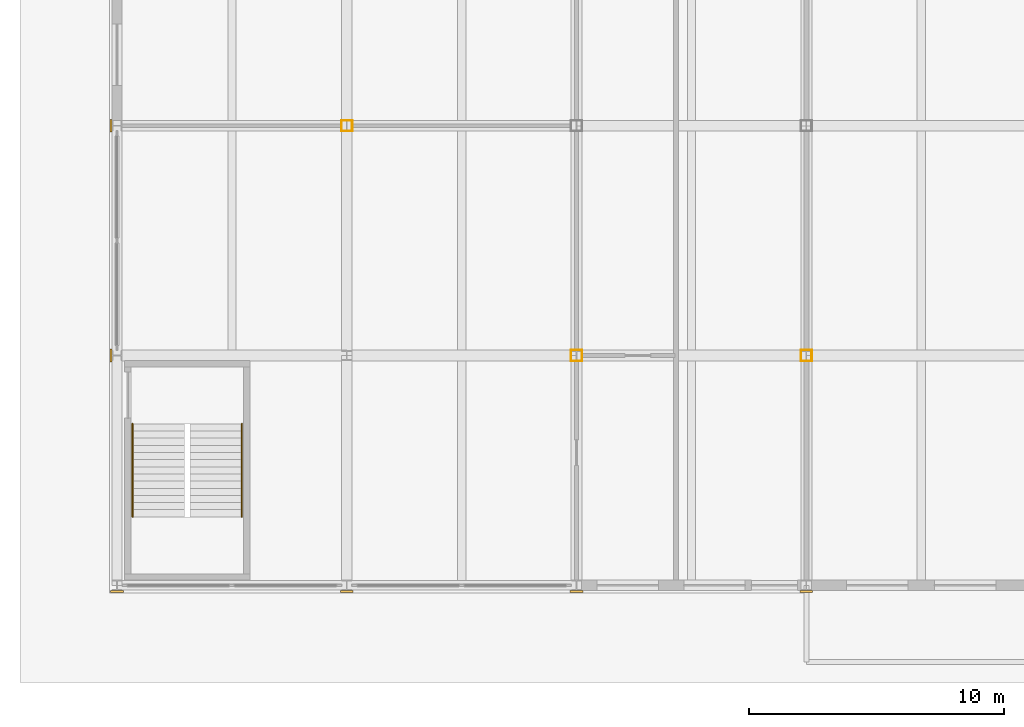
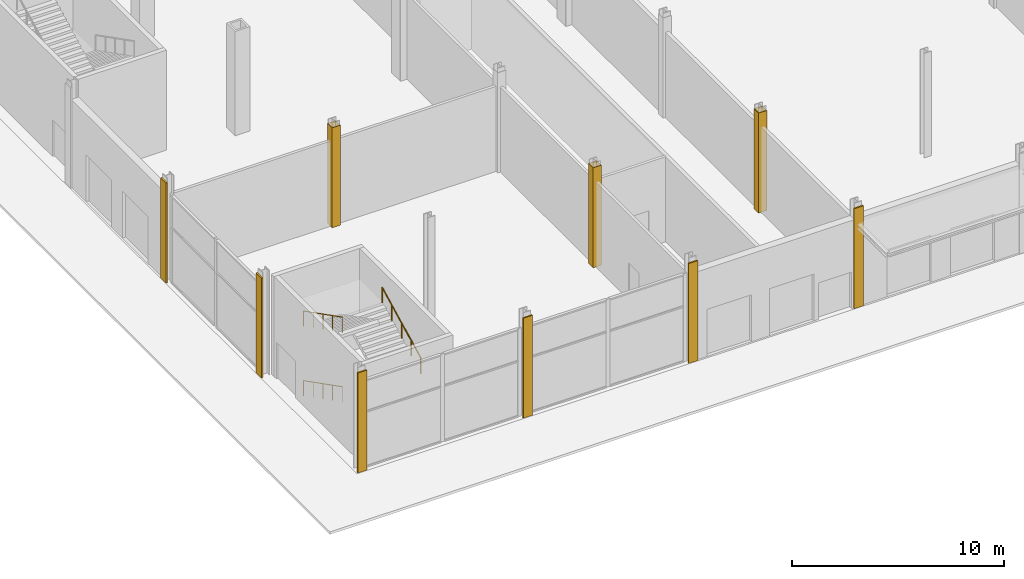
# One storey, part 26 of 34: 18 coverings, 3 railings.
"""IFC4 building model written with IfcOpenShell, lengths in metres."""

import ifcopenshell
import ifcopenshell.guid

model = None  # the IFC model being written
_history = None  # IfcOwnerHistory: only IFC2X3 demands one
_inside = {}  # id of a spatial element -> (the spatial element, [elements in it])
_under = {}  # id of a project, library or spatial element -> (it, [spatial elements below it])
_declared = {}  # id of a project -> (the project, [libraries it declares])
_typed = {}  # id of a type object -> (the type object, [elements of that type])
_made_of = {}  # id of a material, layer set ... -> (it, [elements and type objects made of it])


def new_model(schema):
    """Start an empty IFC model of exactly this schema.

    Asked for "IFC4X3", IfcOpenShell would pick the latest addendum, in which some entities
    have other attributes; the version numbers below select the first issue.
    IFC2X3 requires an IfcOwnerHistory on every rooted entity: one is made here for all.
    """
    global model, _history
    if schema == "IFC4X3":
        model = ifcopenshell.file(schema_version=(4, 3, 0, 0))
    else:
        model = ifcopenshell.file(schema=schema)
    _inside.clear()
    _under.clear()
    _declared.clear()
    _typed.clear()
    _made_of.clear()
    _history = None
    if model.schema == "IFC2X3":
        org = make("IfcOrganization", Name="unknown")
        user = make(
            "IfcPersonAndOrganization",
            ThePerson=make("IfcPerson", FamilyName="unknown"),
            TheOrganization=org,
        )
        app = make(
            "IfcApplication",
            ApplicationDeveloper=org,
            Version="unknown",
            ApplicationFullName="unknown",
            ApplicationIdentifier="unknown",
        )
        _history = make(
            "IfcOwnerHistory",
            OwningUser=user,
            OwningApplication=app,
            ChangeAction="ADDED",
            CreationDate=0,
        )
    return model


def make(cls, **values):
    """One entity of the class cls with the attributes given. An attribute that is None is left unset."""
    return model.create_entity(
        cls, **{name: value for name, value in values.items() if value is not None}
    )


def rooted(cls, **values):
    """An entity with a GlobalId (a new one), such as an element, a storey or a relation."""
    return make(cls, GlobalId=ifcopenshell.guid.new(), OwnerHistory=_history, **values)


def si_unit(unit_type, name, prefix=None):
    """IfcSIUnit, for example si_unit("LENGTHUNIT", "METRE", prefix="MILLI")."""
    return make("IfcSIUnit", UnitType=unit_type, Prefix=prefix, Name=name)


def assignment(units):
    """IfcUnitAssignment: the units of a project."""
    return None if units is None else make("IfcUnitAssignment", Units=units)


def point(xyz):
    """IfcCartesianPoint."""
    return None if xyz is None else make("IfcCartesianPoint", Coordinates=xyz)


def direction(xyz):
    """IfcDirection."""
    return None if xyz is None else make("IfcDirection", DirectionRatios=xyz)


def frame(location, z_axis=None, x_axis=None):
    """IfcAxis2Placement3D, a coordinate frame: its origin and axes. An axis left out is left unset."""
    return make(
        "IfcAxis2Placement3D",
        Location=point(location),
        Axis=direction(z_axis),
        RefDirection=direction(x_axis),
    )


def frame_2d(location, x_axis=None):
    """IfcAxis2Placement2D, a coordinate frame in the plane: its origin and x axis."""
    return make(
        "IfcAxis2Placement2D", Location=point(location), RefDirection=direction(x_axis)
    )


def origin():
    """The frame at (0, 0, 0) with its axes left unset."""
    return frame((0.0, 0.0, 0.0))


def origin_2d():
    """The frame at (0, 0) in the plane with its x axis left unset."""
    return frame_2d((0.0, 0.0))


def place(relative_to, where):
    """IfcLocalPlacement: puts the frame where relative to a parent placement (None: the world)."""
    return make(
        "IfcLocalPlacement", PlacementRelTo=relative_to, RelativePlacement=where
    )


def context(
    kind, dimensions, precision=None, world=None, true_north=None, identifier=None
):
    """IfcGeometricRepresentationContext, for example the 3D "Model" context."""
    return make(
        "IfcGeometricRepresentationContext",
        ContextIdentifier=identifier,
        ContextType=kind,
        CoordinateSpaceDimension=dimensions,
        Precision=precision,
        WorldCoordinateSystem=world,
        TrueNorth=true_north,
    )


def subcontext(parent, identifier, kind, view, scale=None):
    """IfcGeometricRepresentationSubContext, for example "Body" below "Model"."""
    return make(
        "IfcGeometricRepresentationSubContext",
        ContextIdentifier=identifier,
        ContextType=kind,
        ParentContext=parent,
        TargetScale=scale,
        TargetView=view,
    )


def project(units=None, contexts=None):
    """IfcProject with its units and contexts."""
    return rooted(
        "IfcProject",
        Name="project",
        RepresentationContexts=contexts,
        UnitsInContext=assignment(units),
    )


def spatial(cls, under=None, at=None, **own):
    """A site, building, storey or space (cls), placed at a placement, below another one or the project."""
    s = rooted(cls, ObjectPlacement=at, **own)
    if under is not None:
        _under.setdefault(under.id(), (under, []))[1].append(s)
    return s


def profile(cls, at=None, kind="AREA", **sizes):
    """A parametric profile (cls). Its sizes go by their IFC names, for example OverallWidth=200.0."""
    return make(cls, ProfileType=kind, Position=at, **sizes)


def rectangle(**sizes):
    """IfcRectangleProfileDef."""
    return profile("IfcRectangleProfileDef", **sizes)


def circle(**sizes):
    """IfcCircleProfileDef."""
    return profile("IfcCircleProfileDef", **sizes)


def extrude(swept, where, along, depth):
    """IfcExtrudedAreaSolid: the profile swept, set in the frame where, extruded along a direction by depth."""
    return make(
        "IfcExtrudedAreaSolid",
        SweptArea=swept,
        Position=where,
        ExtrudedDirection=direction(along),
        Depth=depth,
    )


def shape(context_of_items, identifier, shape_type, items):
    """IfcShapeRepresentation: the items that make up one representation, for example the "Body"."""
    return make(
        "IfcShapeRepresentation",
        ContextOfItems=context_of_items,
        RepresentationIdentifier=identifier,
        RepresentationType=shape_type,
        Items=items,
    )


def material(Name=None, Category=None):
    """IfcMaterial."""
    return make("IfcMaterial", Name=Name, Category=Category)


def layer(
    of_material, thickness, ventilated=None, Name=None, Category=None, Priority=None
):
    """IfcMaterialLayer: one layer of a wall or slab, of a material (None: an air gap)."""
    return make(
        "IfcMaterialLayer",
        Material=of_material,
        LayerThickness=thickness,
        IsVentilated=ventilated,
        Name=Name,
        Category=Category,
        Priority=Priority,
    )


def layer_set(layers, Name=None):
    """IfcMaterialLayerSet."""
    return make("IfcMaterialLayerSet", MaterialLayers=layers, LayerSetName=Name)


def made_of(thing, what):
    """Note that an element or type object is made of a material, layer set ...; save() writes the relation."""
    if what is not None:
        _made_of.setdefault(what.id(), (what, []))[1].append(thing)
    return thing


def type_object(cls, material=None, **own):
    """A type object (cls), such as IfcWallType, which elements share."""
    return made_of(rooted(cls, **own), material)


def element(
    cls,
    number,
    at=None,
    inside=None,
    cuts=None,
    type_object=None,
    material=None,
    context=None,
    identifier="Body",
    shape_type=None,
    held_by="IfcProductDefinitionShape",
    body=None,
    shapes=None,
    **own,
):
    """One element of the class cls, such as IfcWall. Its Tag is "e" and its number.

    at: its placement. inside: the storey or other place that contains it. cuts: it is an
    opening in that element (IfcRelVoidsElement). A single representation is given by context,
    identifier, shape_type and body (its items); several are given by shapes. held_by: the class
    of the entity that holds the representations. save() writes the other relations.
    """
    e = rooted(cls, Tag="e%d" % number, ObjectPlacement=at, **own)
    if body is not None:
        shapes = [shape(context, identifier, shape_type, body)]
    if shapes is not None:
        e.Representation = make(held_by, Representations=shapes)
    if inside is not None:
        _inside.setdefault(inside.id(), (inside, []))[1].append(e)
    if cuts is not None:
        rooted(
            "IfcRelVoidsElement", RelatingBuildingElement=cuts, RelatedOpeningElement=e
        )
    if type_object is not None:
        _typed.setdefault(type_object.id(), (type_object, []))[1].append(e)
    return made_of(e, material)


def aggregate(whole, parts):
    """IfcRelAggregates: a whole, such as a stair, and the parts it consists of."""
    return rooted("IfcRelAggregates", RelatingObject=whole, RelatedObjects=parts)


def save(model, path):
    """Write the relations noted so far, then the file.

    IfcRelAggregates (storeys below a building ...), IfcRelContainedInSpatialStructure (elements
    in a storey), IfcRelDefinesByType, IfcRelAssociatesMaterial and IfcRelDeclares: one each for
    every whole, place, type object, material and project.
    """
    for whole, parts in _under.values():
        aggregate(whole, parts)
    for where, things in _inside.values():
        rooted(
            "IfcRelContainedInSpatialStructure",
            RelatedElements=things,
            RelatingStructure=where,
        )
    for kind, things in _typed.values():
        rooted("IfcRelDefinesByType", RelatedObjects=things, RelatingType=kind)
    for what, things in _made_of.values():
        rooted("IfcRelAssociatesMaterial", RelatedObjects=things, RelatingMaterial=what)
    for by, libraries in _declared.values():
        rooted("IfcRelDeclares", RelatingContext=by, RelatedDefinitions=libraries)
    model.write(path)


model = new_model("IFC4")

# Units and contexts
model_context = context("Model", 3, precision=1e-05, world=origin(), true_north=direction((0.0, 1.0)))
body_context = subcontext(model_context, "Body", "Model", "MODEL_VIEW")
ifc_project = project(units=[si_unit("LENGTHUNIT", "METRE"), si_unit("AREAUNIT", "SQUARE_METRE"), si_unit("VOLUMEUNIT", "CUBIC_METRE"), si_unit("PLANEANGLEUNIT", "RADIAN"), si_unit("MASSUNIT", "GRAM", prefix="KILO")], contexts=[model_context])

# Site, building, storey
site_placement = place(None, origin())
site = spatial("IfcSite", under=ifc_project, at=site_placement, CompositionType="ELEMENT")
building_placement = place(site_placement, origin())
building = spatial("IfcBuilding", under=site, at=building_placement, Name="Loomwork Tower", CompositionType="ELEMENT")
storey_placement = place(building_placement, origin())
storey = spatial("IfcBuildingStorey", under=building, at=storey_placement, Name="L00", CompositionType="ELEMENT", Elevation=0.0)

# Coverings
ifc_material_1 = material(Name="Two-hour fire-rated gypsum board casing")
ifc_layer_1 = layer(ifc_material_1, 0.02490234375)
ifc_layer_set_1 = layer_set([ifc_layer_1], Name="Column fire casing 25")
covering_type_1 = type_object("IfcCoveringType", Name="Column fire casing 25", PredefinedType="CLADDING", material=ifc_layer_set_1)
for number, where, z_axis, x_axis, name in (
    (1, (0.0, -8.7880859375, 0.0), (0.0, 0.0, 1.0), (1.0, 0.0, 0.0), "Column casing 0 -9 L00"),
    (2, (0.0, -9.2119140625, 0.0), (0.0, 0.0, 1.0), (1.0, 0.0, 0.0), "Column casing 0 -9 L00"),
):
    element("IfcCovering", number, at=place(storey_placement, frame(where, z_axis=z_axis, x_axis=x_axis)), inside=storey, type_object=covering_type_1, Name=name, PredefinedType="CLADDING", context=body_context, shape_type="SweptSolid", body=[
        extrude(rectangle(XDim=0.451416015625, YDim=0.02490234375, at=origin_2d()), origin(), (0.0, 0.0, 1.0), 5.75),
    ])
for number, where, z_axis, x_axis, name in (
    (3, (0.213134765625, -9.0, 0.0), (0.0, 0.0, 1.0), (1.0, 0.0, 0.0), "Column casing 0 -9 L00"),
    (4, (-0.213134765625, -9.0, 0.0), (0.0, 0.0, 1.0), (1.0, 0.0, 0.0), "Column casing 0 -9 L00"),
):
    element("IfcCovering", number, at=place(storey_placement, frame(where, z_axis=z_axis, x_axis=x_axis)), inside=storey, type_object=covering_type_1, Name=name, PredefinedType="CLADDING", context=body_context, shape_type="SweptSolid", body=[
        extrude(rectangle(XDim=0.02490234375, YDim=0.398681640625, at=origin_2d()), origin(), (0.0, 0.0, 1.0), 5.75),
    ])
for number, where, z_axis, x_axis, name in (
    (5, (9.0, -17.7880859375, 0.0), (0.0, 0.0, 1.0), (1.0, 0.0, 0.0), "Column casing 9 -18 L00"),
    (6, (9.0, -18.2119140625, 0.0), (0.0, 0.0, 1.0), (1.0, 0.0, 0.0), "Column casing 9 -18 L00"),
):
    element("IfcCovering", number, at=place(storey_placement, frame(where, z_axis=z_axis, x_axis=x_axis)), inside=storey, type_object=covering_type_1, Name=name, PredefinedType="CLADDING", context=body_context, shape_type="SweptSolid", body=[
        extrude(rectangle(XDim=0.451416015625, YDim=0.02490234375, at=origin_2d()), origin(), (0.0, 0.0, 1.0), 5.75),
    ])
for number, where, z_axis, x_axis, name in (
    (7, (9.213134765625, -18.0, 0.0), (0.0, 0.0, 1.0), (1.0, 0.0, 0.0), "Column casing 9 -18 L00"),
    (8, (8.786865234375, -18.0, 0.0), (0.0, 0.0, 1.0), (1.0, 0.0, 0.0), "Column casing 9 -18 L00"),
):
    element("IfcCovering", number, at=place(storey_placement, frame(where, z_axis=z_axis, x_axis=x_axis)), inside=storey, type_object=covering_type_1, Name=name, PredefinedType="CLADDING", context=body_context, shape_type="SweptSolid", body=[
        extrude(rectangle(XDim=0.02490234375, YDim=0.398681640625, at=origin_2d()), origin(), (0.0, 0.0, 1.0), 5.75),
    ])
for number, where, z_axis, x_axis, name in (
    (9, (18.0, -17.7880859375, 0.0), (0.0, 0.0, 1.0), (1.0, 0.0, 0.0), "Column casing 18 -18 L00"),
    (10, (18.0, -18.2119140625, 0.0), (0.0, 0.0, 1.0), (1.0, 0.0, 0.0), "Column casing 18 -18 L00"),
):
    element("IfcCovering", number, at=place(storey_placement, frame(where, z_axis=z_axis, x_axis=x_axis)), inside=storey, type_object=covering_type_1, Name=name, PredefinedType="CLADDING", context=body_context, shape_type="SweptSolid", body=[
        extrude(rectangle(XDim=0.451416015625, YDim=0.02490234375, at=origin_2d()), origin(), (0.0, 0.0, 1.0), 5.75),
    ])
for number, where, z_axis, x_axis, name in (
    (11, (18.213134765625, -18.0, 0.0), (0.0, 0.0, 1.0), (1.0, 0.0, 0.0), "Column casing 18 -18 L00"),
    (12, (17.786865234375, -18.0, 0.0), (0.0, 0.0, 1.0), (1.0, 0.0, 0.0), "Column casing 18 -18 L00"),
):
    element("IfcCovering", number, at=place(storey_placement, frame(where, z_axis=z_axis, x_axis=x_axis)), inside=storey, type_object=covering_type_1, Name=name, PredefinedType="CLADDING", context=body_context, shape_type="SweptSolid", body=[
        extrude(rectangle(XDim=0.02490234375, YDim=0.398681640625, at=origin_2d()), origin(), (0.0, 0.0, 1.0), 5.75),
    ])

# Railings
ifc_material_2 = material(Name="Stainless steel handrail", Category="steel")
railing_type = type_object("IfcRailingType", Name="Handrail 900", PredefinedType="HANDRAIL", material=ifc_material_2)
railing_1_placement = place(storey_placement, frame((-8.389892578125, -20.679931640625, 0.142822265625)))
element("IfcRailing", 13, at=railing_1_placement, inside=storey, type_object=railing_type, Name="Podium stair PS1 handrail flight 1 L00", PredefinedType="HANDRAIL", context=body_context, shape_type="SweptSolid", body=[
    extrude(circle(Radius=0.02392578125, at=origin_2d()), frame((0.0, 0.0, 0.8759765625), z_axis=(0.0, -0.890765324736, 0.45446356977), x_axis=(1.0, 0.0, 0.0)), (0.0, 0.0, 1.0), 4.08642578125),
    extrude(circle(Radius=0.02099609375, at=origin_2d()), origin(), (0.0, 0.0, 1.0), 0.851806640625),
    extrude(circle(Radius=0.02099609375, at=origin_2d()), frame((0.0, -0.91015625, 0.46435546875)), (0.0, 0.0, 1.0), 0.851806640625),
    extrude(circle(Radius=0.02099609375, at=origin_2d()), frame((0.0, -1.820068359375, 0.9287109375)), (0.0, 0.0, 1.0), 0.851806640625),
    extrude(circle(Radius=0.02099609375, at=origin_2d()), frame((0.0, -2.72998046875, 1.392822265625)), (0.0, 0.0, 1.0), 0.851806640625),
    extrude(circle(Radius=0.02099609375, at=origin_2d()), frame((0.0, -3.64013671875, 1.857177734375)), (0.0, 0.0, 1.0), 0.851806640625),
])
railing_2_placement = place(storey_placement, frame((-4.110107421875, -24.320068359375, 2.142822265625)))
element("IfcRailing", 14, at=railing_2_placement, inside=storey, type_object=railing_type, Name="Podium stair PS1 handrail flight 2 L00", PredefinedType="HANDRAIL", context=body_context, shape_type="SweptSolid", body=[
    extrude(circle(Radius=0.02392578125, at=origin_2d()), frame((0.0, 0.0, 0.8759765625), z_axis=(0.0, 0.890765324736, 0.45446356977), x_axis=(-1.0, 0.0, 0.0)), (0.0, 0.0, 1.0), 4.08642578125),
    extrude(circle(Radius=0.02099609375, at=origin_2d()), origin(), (0.0, 0.0, 1.0), 0.851806640625),
    extrude(circle(Radius=0.02099609375, at=origin_2d()), frame((0.0, 0.91015625, 0.46435546875)), (0.0, 0.0, 1.0), 0.851806640625),
    extrude(circle(Radius=0.02099609375, at=origin_2d()), frame((0.0, 1.820068359375, 0.9287109375)), (0.0, 0.0, 1.0), 0.851806640625),
    extrude(circle(Radius=0.02099609375, at=origin_2d()), frame((0.0, 2.72998046875, 1.392822265625)), (0.0, 0.0, 1.0), 0.851806640625),
    extrude(circle(Radius=0.02099609375, at=origin_2d()), frame((0.0, 3.64013671875, 1.857177734375)), (0.0, 0.0, 1.0), 0.851806640625),
])
railing_3_placement = place(storey_placement, frame((-8.389892578125, -20.679931640625, 4.142822265625)))
element("IfcRailing", 15, at=railing_3_placement, inside=storey, type_object=railing_type, Name="Podium stair PS1 handrail flight 3 L00", PredefinedType="HANDRAIL", context=body_context, shape_type="SweptSolid", body=[
    extrude(circle(Radius=0.02392578125, at=origin_2d()), frame((0.0, 0.0, 0.8759765625), z_axis=(0.0, -0.890765324736, 0.45446356977), x_axis=(1.0, 0.0, 0.0)), (0.0, 0.0, 1.0), 4.08642578125),
    extrude(circle(Radius=0.02099609375, at=origin_2d()), origin(), (0.0, 0.0, 1.0), 0.851806640625),
    extrude(circle(Radius=0.02099609375, at=origin_2d()), frame((0.0, -0.91015625, 0.46435546875)), (0.0, 0.0, 1.0), 0.851806640625),
    extrude(circle(Radius=0.02099609375, at=origin_2d()), frame((0.0, -1.820068359375, 0.9287109375)), (0.0, 0.0, 1.0), 0.851806640625),
    extrude(circle(Radius=0.02099609375, at=origin_2d()), frame((0.0, -2.72998046875, 1.392822265625)), (0.0, 0.0, 1.0), 0.851806640625),
    extrude(circle(Radius=0.02099609375, at=origin_2d()), frame((0.0, -3.64013671875, 1.857177734375)), (0.0, 0.0, 1.0), 0.851806640625),
])

# Coverings
ifc_material_3 = material(Name="Limestone", Category="masonry")
ifc_layer_2 = layer(ifc_material_3, 0.080078125)
ifc_layer_set_2 = layer_set([ifc_layer_2], Name="Limestone pier facing 80")
covering_type_2 = type_object("IfcCoveringType", Name="Limestone pier facing 80", PredefinedType="CLADDING", material=ifc_layer_set_2)
covering_placement = place(storey_placement, frame((-9.0, -27.239501953125, 0.0), z_axis=(0.0, 0.0, 1.0), x_axis=(1.0, 0.0, 0.0)))
element("IfcCovering", 16, at=covering_placement, inside=storey, type_object=covering_type_2, Name="Pier facing A/1 L00", PredefinedType="CLADDING", context=body_context, shape_type="SweptSolid", body=[
    extrude(rectangle(XDim=0.501220703125, YDim=0.080078125, at=origin_2d()), origin(), (0.0, 0.0, 1.0), 5.75),
])
for number, where, z_axis, x_axis, name in (
    (17, (-9.239501953125, -18.0, 0.0), (0.0, 0.0, 1.0), (1.0, 0.0, 0.0), "Pier facing B/1 L00"),
    (18, (-9.239501953125, -9.0, 0.0), (0.0, 0.0, 1.0), (1.0, 0.0, 0.0), "Pier facing C/1 L00"),
):
    element("IfcCovering", number, at=place(storey_placement, frame(where, z_axis=z_axis, x_axis=x_axis)), inside=storey, type_object=covering_type_2, Name=name, PredefinedType="CLADDING", context=body_context, shape_type="SweptSolid", body=[
        extrude(rectangle(XDim=0.080078125, YDim=0.501220703125, at=origin_2d()), origin(), (0.0, 0.0, 1.0), 5.75),
    ])
for number, where, z_axis, x_axis, name in (
    (19, (0.0, -27.239501953125, 0.0), (0.0, 0.0, 1.0), (1.0, 0.0, 0.0), "Pier facing A/2 L00"),
    (20, (9.0, -27.239501953125, 0.0), (0.0, 0.0, 1.0), (1.0, 0.0, 0.0), "Pier facing A/3 L00"),
    (21, (18.0, -27.239501953125, 0.0), (0.0, 0.0, 1.0), (1.0, 0.0, 0.0), "Pier facing A/4 L00"),
):
    element("IfcCovering", number, at=place(storey_placement, frame(where, z_axis=z_axis, x_axis=x_axis)), inside=storey, type_object=covering_type_2, Name=name, PredefinedType="CLADDING", context=body_context, shape_type="SweptSolid", body=[
        extrude(rectangle(XDim=0.501220703125, YDim=0.080078125, at=origin_2d()), origin(), (0.0, 0.0, 1.0), 5.75),
    ])

save(model, "model.ifc")
